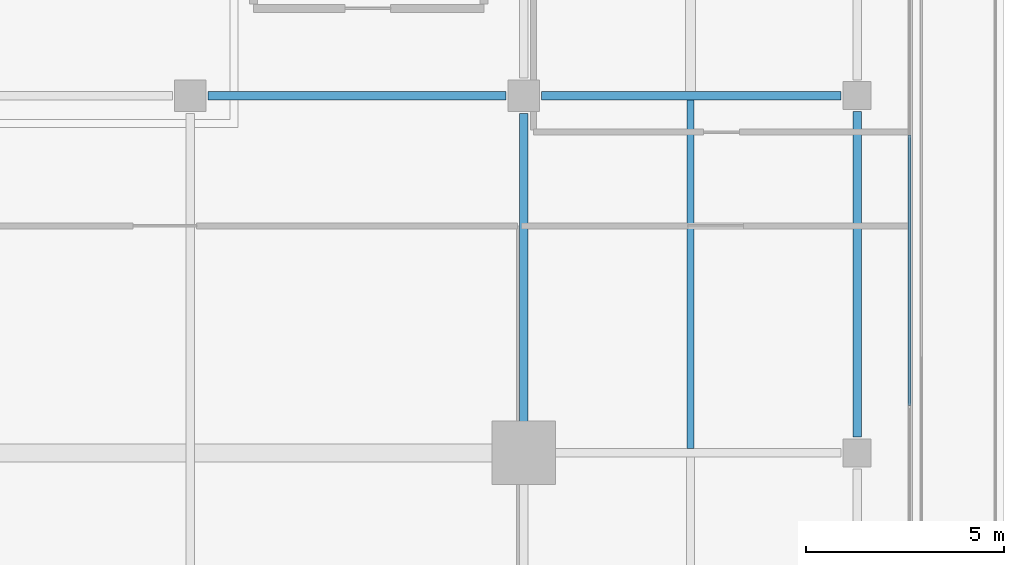
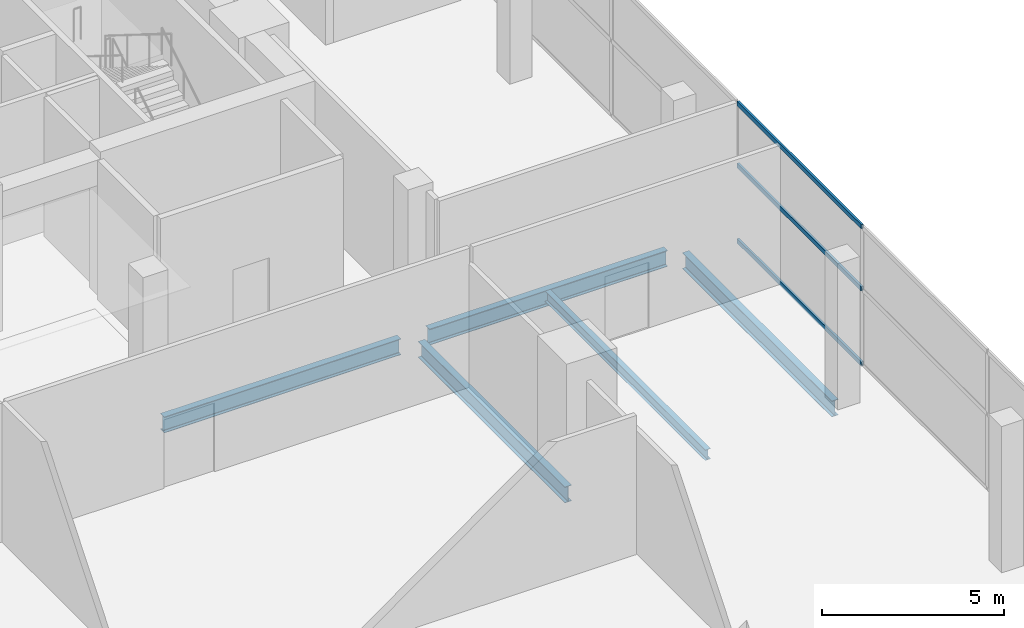
# One storey, part 13 of 28: 5 beams, 3 members, 1 element without a shape of its own.
"""IFC4 building model written with IfcOpenShell, lengths in metres."""

from ifc_helpers import new_model, si_unit, direction, frame, origin, origin_2d, place, context, subcontext, project, spatial, hollow_rectangle, i_section, extrude, material, layer, layer_set, material_profile, profile_set, type_object, element, aggregate, save


model = new_model("IFC4")

# Units and contexts
model_context = context("Model", 3, precision=1e-05, world=origin(), true_north=direction((0.0, 1.0)))
body_context = subcontext(model_context, "Body", "Model", "MODEL_VIEW")
ifc_project = project(units=[si_unit("LENGTHUNIT", "METRE"), si_unit("AREAUNIT", "SQUARE_METRE"), si_unit("VOLUMEUNIT", "CUBIC_METRE"), si_unit("PLANEANGLEUNIT", "RADIAN"), si_unit("MASSUNIT", "GRAM", prefix="KILO")], contexts=[model_context])

# Site, building, storey
site_placement = place(None, origin())
site = spatial("IfcSite", under=ifc_project, at=site_placement, CompositionType="ELEMENT")
building_placement = place(site_placement, origin())
building = spatial("IfcBuilding", under=site, at=building_placement, Name="Maruvema Waterfront Hotel and Observation Tower", CompositionType="ELEMENT")
storey_placement = place(building_placement, frame((0.0, 0.0, 234.5)))
storey = spatial("IfcBuildingStorey", under=building, at=storey_placement, Name="L57", CompositionType="ELEMENT", Elevation=234.5)

# Curtain wall, members
ifc_material_1 = material(Name="Anodised bronze aluminium and solar-control low-E IGU", Category="aluminium")
ifc_layer = layer(ifc_material_1, 0.159912109375, Name="Zone 3 Champagne Inner Thermal Curtain Wall System CW-04")
ifc_layer_set = layer_set([ifc_layer], Name="Anodised bronze aluminium and solar-control low-E IGU")
curtain_wall_type = type_object("IfcCurtainWallType", Name="Zone 3 Champagne Inner Thermal Curtain Wall System CW-04", PredefinedType="USERDEFINED", material=ifc_layer_set)
curtain_wall_placement = place(storey_placement, origin())
curtain_wall = element("IfcCurtainWall", 1, at=curtain_wall_placement, inside=storey, type_object=curtain_wall_type, Name="L57 Curtain Wall CW-L57-E", ObjectType="UNITISED CURTAIN WALL", PredefinedType="USERDEFINED")
ifc_material_2 = material(Name="Anodised architectural bronze aluminium", Category="aluminium")
ifc_material_profile_1 = material_profile(ifc_material_2, hollow_rectangle(XDim=0.070068359375, YDim=0.14990234375, WallThickness=0.00390625, at=origin_2d()), Name="ALU-T70x150")
ifc_profile_set_1 = profile_set([ifc_material_profile_1], Name="Anodised architectural bronze aluminium")
member_type = type_object("IfcMemberType", Name="Curtain Wall Horizontal Transom ALU-T70x150", PredefinedType="USERDEFINED", material=ifc_profile_set_1)
member_1_placement = place(storey_placement, frame((60.1201171875, 28.18994140625, 0.030029296875), z_axis=(0.0, 1.0, 0.0), x_axis=(-1.0, 0.0, 0.0)))
member_1 = element("IfcMember", 2, at=member_1_placement, type_object=member_type, Name="CW-04 transom 3.1", ObjectType="TRANSOM", PredefinedType="USERDEFINED", context=body_context, shape_type="SweptSolid", body=[
    extrude(hollow_rectangle(XDim=0.070068359375, YDim=0.14990234375, WallThickness=0.00390625, at=origin_2d()), origin(), (0.0, 0.0, 1.0), 6.820068359375),
])
member_2_placement = place(storey_placement, frame((60.1201171875, 28.18994140625, 2.550048828125), z_axis=(0.0, 1.0, 0.0), x_axis=(-1.0, 0.0, 0.0)))
member_2 = element("IfcMember", 3, at=member_2_placement, type_object=member_type, Name="CW-04 transom 3.2", ObjectType="TRANSOM", PredefinedType="USERDEFINED", context=body_context, shape_type="SweptSolid", body=[
    extrude(hollow_rectangle(XDim=0.070068359375, YDim=0.14990234375, WallThickness=0.00390625, at=origin_2d()), origin(), (0.0, 0.0, 1.0), 6.820068359375),
])
member_3_placement = place(storey_placement, frame((60.1201171875, 28.18994140625, 4.6298828125), z_axis=(0.0, 1.0, 0.0), x_axis=(-1.0, 0.0, 0.0)))
member_3 = element("IfcMember", 4, at=member_3_placement, type_object=member_type, Name="CW-04 transom 3.3", ObjectType="TRANSOM", PredefinedType="USERDEFINED", context=body_context, shape_type="SweptSolid", body=[
    extrude(hollow_rectangle(XDim=0.070068359375, YDim=0.14990234375, WallThickness=0.00390625, at=origin_2d()), origin(), (0.0, 0.0, 1.0), 6.820068359375),
])
aggregate(curtain_wall, [member_1, member_2, member_3])

# Beams
ifc_material_3 = material(Name="Steel ASTM A572 Grade 50", Category="steel")
ifc_material_profile_2 = material_profile(ifc_material_3, i_section(OverallWidth=0.2109375, OverallDepth=0.5390625, WebThickness=0.01171875, FlangeThickness=0.018798828125, FilletRadius=0.014892578125, at=origin_2d()), Name="W530x109.0")
ifc_profile_set_2 = profile_set([ifc_material_profile_2], Name="Steel ASTM A572 Grade 50")
beam_type_1 = type_object("IfcBeamType", Name="Primary Floor Girder W530x109.0", PredefinedType="BEAM", material=ifc_profile_set_2)
beam_1_placement = place(storey_placement, frame((42.449951171875, 36.0, -0.509521484375), z_axis=(1.0, 0.0, 0.0), x_axis=(0.0, 1.0, 0.0)))
element("IfcBeam", 5, at=beam_1_placement, inside=storey, type_object=beam_type_1, Name="L57 Floor Girder EW-12", PredefinedType="BEAM", context=body_context, shape_type="SweptSolid", body=[
    extrude(i_section(OverallWidth=0.2109375, OverallDepth=0.5390625, WebThickness=0.01171875, FlangeThickness=0.018798828125, FilletRadius=0.014892578125, at=origin_2d()), origin(), (0.0, 0.0, 1.0), 7.5),
])
beam_2_placement = place(storey_placement, frame((50.85009765625, 36.0, -0.509521484375), z_axis=(1.0, 0.0, 0.0), x_axis=(0.0, 1.0, 0.0)))
element("IfcBeam", 6, at=beam_2_placement, inside=storey, type_object=beam_type_1, Name="L57 Floor Girder EW-13", PredefinedType="BEAM", context=body_context, shape_type="SweptSolid", body=[
    extrude(i_section(OverallWidth=0.2109375, OverallDepth=0.5390625, WebThickness=0.01171875, FlangeThickness=0.018798828125, FilletRadius=0.014892578125, at=origin_2d()), origin(), (0.0, 0.0, 1.0), 7.5498046875),
])
beam_3_placement = place(storey_placement, frame((50.39990234375, 27.5, -0.509521484375), z_axis=(0.0, 1.0, 0.0), x_axis=(-1.0, 0.0, 0.0)))
element("IfcBeam", 7, at=beam_3_placement, inside=storey, type_object=beam_type_1, Name="L57 Floor Girder NS-10", PredefinedType="BEAM", context=body_context, shape_type="SweptSolid", body=[
    extrude(i_section(OverallWidth=0.2109375, OverallDepth=0.5390625, WebThickness=0.01171875, FlangeThickness=0.018798828125, FilletRadius=0.014892578125, at=origin_2d()), origin(), (0.0, 0.0, 1.0), 8.050048828125),
])
beam_4_placement = place(storey_placement, frame((58.800048828125, 27.39990234375, -0.509521484375), z_axis=(0.0, 1.0, 0.0), x_axis=(-1.0, 0.0, 0.0)))
element("IfcBeam", 8, at=beam_4_placement, inside=storey, type_object=beam_type_1, Name="L57 Floor Girder NS-13", PredefinedType="BEAM", context=body_context, shape_type="SweptSolid", body=[
    extrude(i_section(OverallWidth=0.2109375, OverallDepth=0.5390625, WebThickness=0.01171875, FlangeThickness=0.018798828125, FilletRadius=0.014892578125, at=origin_2d()), origin(), (0.0, 0.0, 1.0), 8.2001953125),
])
ifc_material_4 = material(Name="Steel ASTM A572 Grade 50", Category="steel")
ifc_material_profile_3 = material_profile(ifc_material_4, i_section(OverallWidth=0.1708984375, OverallDepth=0.35498046875, WebThickness=0.007080078125, FlangeThickness=0.01171875, FilletRadius=0.014892578125, at=origin_2d()), Name="W360x51.0")
ifc_profile_set_3 = profile_set([ifc_material_profile_3], Name="Steel ASTM A572 Grade 50")
beam_type_2 = type_object("IfcBeamType", Name="Secondary Floor Joist W360x51.0", PredefinedType="JOIST", material=ifc_profile_set_3)
beam_5_placement = place(storey_placement, frame((54.60009765625, 27.10546875, -0.41748046875), z_axis=(0.0, 1.0, 0.0), x_axis=(-1.0, 0.0, 0.0)))
element("IfcBeam", 9, at=beam_5_placement, inside=storey, type_object=beam_type_2, Name="L57 Secondary Floor Joist JS-05", PredefinedType="JOIST", context=body_context, shape_type="SweptSolid", body=[
    extrude(i_section(OverallWidth=0.1708984375, OverallDepth=0.35498046875, WebThickness=0.007080078125, FlangeThickness=0.01171875, FilletRadius=0.014892578125, at=origin_2d()), origin(), (0.0, 0.0, 1.0), 8.7890625),
])

save(model, "model.ifc")
